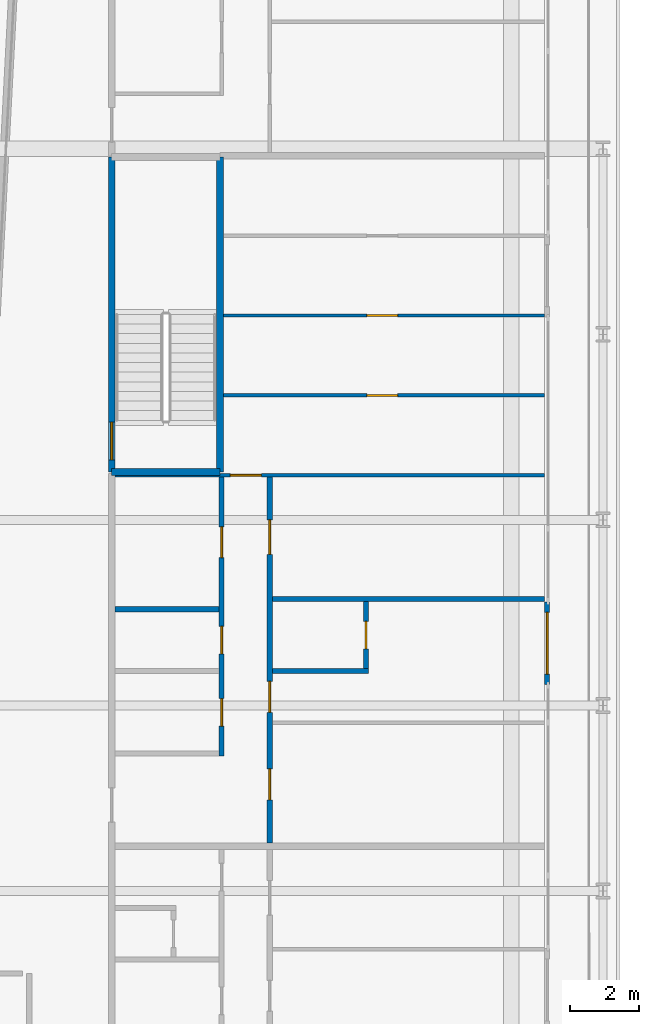
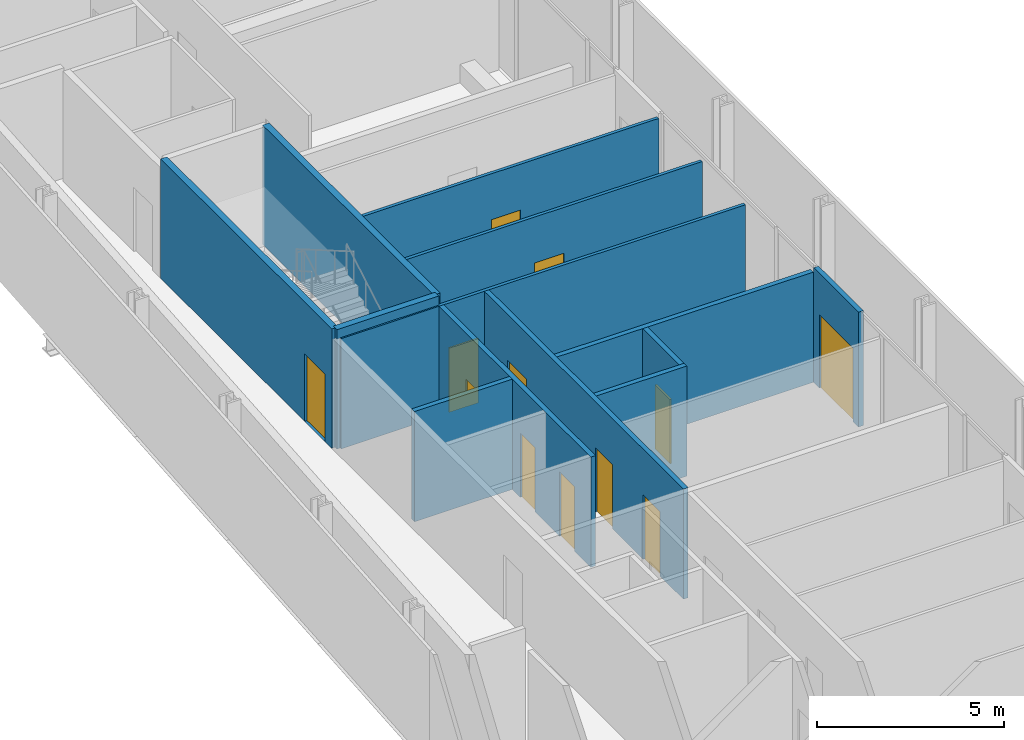
# One storey, part 19 of 29: 13 walls, 12 doors, 12 openings.
"""IFC4 building model written with IfcOpenShell, lengths in metres."""

from ifc_helpers import new_model, si_unit, direction, frame, frame_2d, origin, place, context, subcontext, project, spatial, rectangle, extrude, source, transform, mapped, material, layer, layer_set, type_object, element, fill, save


model = new_model("IFC4")

# Units and contexts
model_context = context("Model", 3, precision=1e-05, world=origin(), true_north=direction((0.0, 1.0)))
body_context = subcontext(model_context, "Body", "Model", "MODEL_VIEW")
ifc_project = project(units=[si_unit("LENGTHUNIT", "METRE"), si_unit("AREAUNIT", "SQUARE_METRE"), si_unit("VOLUMEUNIT", "CUBIC_METRE"), si_unit("PLANEANGLEUNIT", "RADIAN"), si_unit("MASSUNIT", "GRAM", prefix="KILO")], contexts=[model_context])

# Site, building, storey
site_placement = place(None, origin())
site = spatial("IfcSite", under=ifc_project, at=site_placement, CompositionType="ELEMENT")
building_placement = place(site_placement, origin())
building = spatial("IfcBuilding", under=site, at=building_placement, Name="Kheshtan School and Residences Tower", CompositionType="ELEMENT")
storey_placement = place(building_placement, frame((0.0, 0.0, 121.39990234375)))
storey = spatial("IfcBuildingStorey", under=building, at=storey_placement, Name="L28", CompositionType="ELEMENT", Elevation=121.39990234375)

# Wall, opening, door
ifc_material_1 = material(Name="Aluminium frame wall with insulated infill", Category="aluminium")
ifc_layer_1 = layer(ifc_material_1, 0.14990234375)
ifc_layer_set_1 = layer_set([ifc_layer_1], Name="Glazing frame wall 150")
wall_type_1 = type_object("IfcWallType", Name="Glazing frame wall 150", PredefinedType="SOLIDWALL", material=ifc_layer_set_1)
wall_1_placement = place(storey_placement, frame((45.97509765625, 75.612060546875, 0.0), z_axis=(0.0, 0.0, 1.0), x_axis=(0.0, -1.0, 0.0)))
wall_1 = element("IfcWall", 1, at=wall_1_placement, inside=storey, type_object=wall_type_1, Name="Balcony door wall L28 8.3", PredefinedType="SOLIDWALL", context=body_context, shape_type="SweptSolid", body=[
    extrude(rectangle(XDim=2.400146484375, YDim=0.14990234375, at=frame_2d((1.2001953125, 0.0))), origin(), (0.0, 0.0, 1.0), 3.75),
])
opening_1_placement = place(wall_1_placement, frame((0.300048828125, 0.0, 0.0)))
opening_1 = element("IfcOpeningElement", 2, at=opening_1_placement, cuts=wall_1, Name="Opening BD", PredefinedType="OPENING", context=body_context, shape_type="SweptSolid", body=[
    extrude(rectangle(XDim=1.800048828125, YDim=2.39990234375, at=frame_2d((0.89990234375, 1.199951171875))), frame((0.0, 0.0849609375, 0.0), z_axis=(0.0, -1.0, 0.0), x_axis=(1.0, 0.0, 0.0)), (0.0, 0.0, 1.0), 0.169921875),
])
ifc_material_2 = material(Name="Clear low-e glass in thermally broken aluminium frame", Category="aluminium")
door_type_1 = type_object("IfcDoorType", Name="Balcony sliding door", OperationType="SLIDING_TO_LEFT", PredefinedType="DOOR", material=ifc_material_2)
shared_shape_1 = source(origin(), body_context, "Body", "SweptSolid", [
    extrude(rectangle(XDim=1.800048828125, YDim=2.39990234375, at=frame_2d((0.89990234375, 1.199951171875))), frame((0.0, 0.02490234375, 0.0), z_axis=(0.0, -1.0, 0.0), x_axis=(1.0, 0.0, 0.0)), (0.0, 0.0, 1.0), 0.050048828125),
])
door_1_placement = place(opening_1_placement, origin())
door_1 = element("IfcDoor", 3, at=door_1_placement, inside=storey, type_object=door_type_1, Name="Balcony door L28 8.3", OperationType="SLIDING_TO_LEFT", OverallHeight=2.39990234375, OverallWidth=1.800048828125, PredefinedType="DOOR", context=body_context, shape_type="MappedRepresentation", body=[
    mapped(shared_shape_1, transform((0.0, 0.0, 0.0), x_axis=(1.0, 0.0, 0.0), y_axis=(0.0, 1.0, 0.0), z_axis=(0.0, 0.0, 1.0), scale=1.0)),
])
fill(opening_1, door_1)

ifc_material_3 = material(Name="Gypsum board on steel studs", Category="steel")
ifc_layer_2 = layer(ifc_material_3, 0.10009765625)
ifc_layer_set_2 = layer_set([ifc_layer_2], Name="Gypsum partition 100")
wall_type_2 = type_object("IfcWallType", Name="Gypsum partition 100", PredefinedType="PARTITIONING", material=ifc_layer_set_2)
wall_2_placement = place(storey_placement, frame((33.39990234375, 79.300048828125, 0.0), z_axis=(0.0, 0.0, 1.0), x_axis=(1.0, 0.0, 0.0)))
wall_2 = element("IfcWall", 4, at=wall_2_placement, inside=storey, type_object=wall_type_2, Name="Partition L28-016", PredefinedType="PARTITIONING", context=body_context, shape_type="SweptSolid", body=[
    extrude(rectangle(XDim=12.5, YDim=0.10009765625, at=frame_2d((6.25, 0.0))), origin(), (0.0, 0.0, 1.0), 3.60009765625),
])
opening_2_placement = place(wall_2_placement, frame((3.35498046875, 0.0, 0.0)))
opening_2 = element("IfcOpeningElement", 5, at=opening_2_placement, cuts=wall_2, Name="Opening D27-056", PredefinedType="OPENING", context=body_context, shape_type="SweptSolid", body=[
    extrude(rectangle(XDim=0.89990234375, YDim=2.10009765625, at=frame_2d((0.449951171875, 1.050048828125))), frame((0.0, 0.06005859375, 0.0), z_axis=(0.0, -1.0, 0.0), x_axis=(1.0, 0.0, 0.0)), (0.0, 0.0, 1.0), 0.1201171875),
])
ifc_material_4 = material(Name="Veneered timber door leaf", Category="wood")
door_type_2 = type_object("IfcDoorType", Name="Door 900 x 2100", OperationType="SINGLE_SWING_LEFT", PredefinedType="DOOR", material=ifc_material_4)
shared_shape_2 = source(origin(), body_context, "Body", "SweptSolid", [
    extrude(rectangle(XDim=0.89990234375, YDim=2.10009765625, at=frame_2d((0.449951171875, 1.050048828125))), frame((0.0, 0.02490234375, 0.0), z_axis=(0.0, -1.0, 0.0), x_axis=(1.0, 0.0, 0.0)), (0.0, 0.0, 1.0), 0.050048828125),
])
door_2_placement = place(opening_2_placement, origin())
door_2 = element("IfcDoor", 6, at=door_2_placement, inside=storey, type_object=door_type_2, Name="Door D27-056", OperationType="SINGLE_SWING_LEFT", OverallHeight=2.10009765625, OverallWidth=0.89990234375, PredefinedType="DOOR", context=body_context, shape_type="MappedRepresentation", body=[
    mapped(shared_shape_2, transform((0.0, 0.0, 0.0), x_axis=(1.0, 0.0, 0.0), y_axis=(0.0, 1.0, 0.0), z_axis=(0.0, 0.0, 1.0), scale=1.0)),
])
fill(opening_2, door_2)

wall_3_placement = place(storey_placement, frame((36.549072265625, 81.625, 0.0), z_axis=(0.0, 0.0, 1.0), x_axis=(1.0, 0.0, 0.0)))
wall_3 = element("IfcWall", 7, at=wall_3_placement, inside=storey, type_object=wall_type_2, Name="Partition L28-028", PredefinedType="PARTITIONING", context=body_context, shape_type="SweptSolid", body=[
    extrude(rectangle(XDim=9.350830078125, YDim=0.10009765625, at=frame_2d((4.67529296875, 0.0))), origin(), (0.0, 0.0, 1.0), 3.60009765625),
])
opening_3_placement = place(wall_3_placement, frame((4.176025390625, 0.0, 0.0)))
opening_3 = element("IfcOpeningElement", 8, at=opening_3_placement, cuts=wall_3, Name="Opening D27-057", PredefinedType="OPENING", context=body_context, shape_type="SweptSolid", body=[
    extrude(rectangle(XDim=0.89990234375, YDim=2.10009765625, at=frame_2d((0.449951171875, 1.050048828125))), frame((0.0, 0.06005859375, 0.0), z_axis=(0.0, -1.0, 0.0), x_axis=(1.0, 0.0, 0.0)), (0.0, 0.0, 1.0), 0.1201171875),
])
door_3_placement = place(opening_3_placement, origin())
door_3 = element("IfcDoor", 9, at=door_3_placement, inside=storey, type_object=door_type_2, Name="Door D27-057", OperationType="SINGLE_SWING_RIGHT", OverallHeight=2.10009765625, OverallWidth=0.89990234375, PredefinedType="DOOR", context=body_context, shape_type="MappedRepresentation", body=[
    mapped(shared_shape_2, transform((0.0, 0.0, 0.0), x_axis=(1.0, 0.0, 0.0), y_axis=(0.0, 1.0, 0.0), z_axis=(0.0, 0.0, 1.0), scale=1.0)),
])
fill(opening_3, door_3)

wall_4_placement = place(storey_placement, frame((36.549072265625, 83.949951171875, 0.0), z_axis=(0.0, 0.0, 1.0), x_axis=(1.0, 0.0, 0.0)))
wall_4 = element("IfcWall", 10, at=wall_4_placement, inside=storey, type_object=wall_type_2, Name="Partition L28-029", PredefinedType="PARTITIONING", context=body_context, shape_type="SweptSolid", body=[
    extrude(rectangle(XDim=9.350830078125, YDim=0.10009765625, at=frame_2d((4.67529296875, 0.0))), origin(), (0.0, 0.0, 1.0), 3.60009765625),
])
opening_4_placement = place(wall_4_placement, frame((4.176025390625, 0.0, 0.0)))
opening_4 = element("IfcOpeningElement", 11, at=opening_4_placement, cuts=wall_4, Name="Opening D27-058", PredefinedType="OPENING", context=body_context, shape_type="SweptSolid", body=[
    extrude(rectangle(XDim=0.89990234375, YDim=2.10009765625, at=frame_2d((0.449951171875, 1.050048828125))), frame((0.0, 0.06005859375, 0.0), z_axis=(0.0, -1.0, 0.0), x_axis=(1.0, 0.0, 0.0)), (0.0, 0.0, 1.0), 0.1201171875),
])
door_4_placement = place(opening_4_placement, origin())
door_4 = element("IfcDoor", 12, at=door_4_placement, inside=storey, type_object=door_type_2, Name="Door D27-058", OperationType="SINGLE_SWING_RIGHT", OverallHeight=2.10009765625, OverallWidth=0.89990234375, PredefinedType="DOOR", context=body_context, shape_type="MappedRepresentation", body=[
    mapped(shared_shape_2, transform((0.0, 0.0, 0.0), x_axis=(1.0, 0.0, 0.0), y_axis=(0.0, 1.0, 0.0), z_axis=(0.0, 0.0, 1.0), scale=1.0)),
])
fill(opening_4, door_4)

# Wall
ifc_material_5 = material(Name="Concrete C40/50", Category="concrete")
ifc_layer_3 = layer(ifc_material_5, 0.199951171875)
ifc_layer_set_3 = layer_set([ifc_layer_3], Name="Stair enclosure wall 200 Concrete C40/50")
wall_type_3 = type_object("IfcWallType", Name="Stair enclosure wall 200 Concrete C40/50", PredefinedType="SHEAR", material=ifc_layer_set_3)
wall_5_placement = place(storey_placement, frame((33.300048828125, 79.39990234375, 0.0), z_axis=(0.0, 0.0, 1.0), x_axis=(1.0, 0.0, 0.0)))
element("IfcWall", 13, at=wall_5_placement, inside=storey, type_object=wall_type_3, Name="Stair enclosure wall ST3", PredefinedType="SHEAR", context=body_context, shape_type="SweptSolid", body=[
    extrude(rectangle(XDim=3.14990234375, YDim=0.199951171875, at=frame_2d((1.574951171875, 0.0))), origin(), (0.0, 0.0, 1.0), 3.900146484375),
])

# Wall, opening, door
wall_6_placement = place(storey_placement, frame((33.300048828125, 79.39990234375, 0.0), z_axis=(0.0, 0.0, 1.0), x_axis=(0.0, 1.0, 0.0)))
wall_6 = element("IfcWall", 14, at=wall_6_placement, inside=storey, type_object=wall_type_3, Name="Stair enclosure wall ST3", PredefinedType="SHEAR", context=body_context, shape_type="SweptSolid", body=[
    extrude(rectangle(XDim=9.16015625, YDim=0.199951171875, at=frame_2d((4.580078125, 0.0))), origin(), (0.0, 0.0, 1.0), 3.900146484375),
])
opening_5_placement = place(wall_6_placement, frame((0.35009765625, 0.0, 0.0)))
opening_5 = element("IfcOpeningElement", 15, at=opening_5_placement, cuts=wall_6, Name="Opening ST3D", PredefinedType="OPENING", context=body_context, shape_type="SweptSolid", body=[
    extrude(rectangle(XDim=1.10009765625, YDim=2.199951171875, at=frame_2d((0.550048828125, 1.10009765625))), frame((0.0, 0.10986328125, 0.0), z_axis=(0.0, -1.0, 0.0), x_axis=(1.0, 0.0, 0.0)), (0.0, 0.0, 1.0), 0.219970703125),
])
ifc_material_6 = material(Name="Steel door leaf, galvanised", Category="steel")
door_type_3 = type_object("IfcDoorType", Name="Stair door 1100 steel 90 min", OperationType="SINGLE_SWING_LEFT", PredefinedType="DOOR", material=ifc_material_6)
shared_shape_3 = source(origin(), body_context, "Body", "SweptSolid", [
    extrude(rectangle(XDim=1.10009765625, YDim=2.199951171875, at=frame_2d((0.550048828125, 1.10009765625))), frame((0.0, 0.02490234375, 0.0), z_axis=(0.0, -1.0, 0.0), x_axis=(1.0, 0.0, 0.0)), (0.0, 0.0, 1.0), 0.050048828125),
])
door_5_placement = place(opening_5_placement, origin())
door_5 = element("IfcDoor", 16, at=door_5_placement, inside=storey, type_object=door_type_3, Name="Stair ST3 door", OperationType="SINGLE_SWING_RIGHT", OverallHeight=2.199951171875, OverallWidth=1.10009765625, PredefinedType="DOOR", context=body_context, shape_type="MappedRepresentation", body=[
    mapped(shared_shape_3, transform((0.0, 0.0, 0.0), x_axis=(1.0, 0.0, 0.0), y_axis=(0.0, 1.0, 0.0), z_axis=(0.0, 0.0, 1.0), scale=1.0)),
])
fill(opening_5, door_5)

# Walls
wall_7_placement = place(storey_placement, frame((36.449951171875, 79.39990234375, 0.0), z_axis=(0.0, 0.0, 1.0), x_axis=(0.0, 1.0, 0.0)))
element("IfcWall", 17, at=wall_7_placement, inside=storey, type_object=wall_type_3, Name="Stair enclosure wall ST3", PredefinedType="SHEAR", context=body_context, shape_type="SweptSolid", body=[
    extrude(rectangle(XDim=9.16015625, YDim=0.199951171875, at=frame_2d((4.580078125, 0.0))), origin(), (0.0, 0.0, 1.0), 3.900146484375),
])
ifc_material_7 = material(Name="Moisture-resistant gypsum board on steel studs", Category="steel")
ifc_layer_4 = layer(ifc_material_7, 0.14990234375)
ifc_layer_set_4 = layer_set([ifc_layer_4], Name="Wet-room partition 150")
wall_type_4 = type_object("IfcWallType", Name="Wet-room partition 150", PredefinedType="PARTITIONING", material=ifc_layer_set_4)
wall_8_placement = place(storey_placement, frame((33.39990234375, 75.39990234375, 0.0), z_axis=(0.0, 0.0, 1.0), x_axis=(1.0, 0.0, 0.0)))
element("IfcWall", 18, at=wall_8_placement, inside=storey, type_object=wall_type_4, Name="Partition L28-015", PredefinedType="PARTITIONING", context=body_context, shape_type="SweptSolid", body=[
    extrude(rectangle(XDim=3.025146484375, YDim=0.14990234375, at=frame_2d((1.5126953125, 0.0))), origin(), (0.0, 0.0, 1.0), 3.60009765625),
])

# Wall, openings, doors
wall_9_placement = place(storey_placement, frame((36.5, 71.125, 0.0), z_axis=(0.0, 0.0, 1.0), x_axis=(0.0, 1.0, 0.0)))
wall_9 = element("IfcWall", 19, at=wall_9_placement, inside=storey, type_object=wall_type_4, Name="Partition L28-024", PredefinedType="PARTITIONING", context=body_context, shape_type="SweptSolid", body=[
    extrude(rectangle(XDim=8.125, YDim=0.14990234375, at=frame_2d((4.0625, 0.0))), origin(), (0.0, 0.0, 1.0), 3.60009765625),
])
opening_6_placement = place(wall_9_placement, frame((0.875, 0.0, 0.0)))
opening_6 = element("IfcOpeningElement", 20, at=opening_6_placement, cuts=wall_9, Name="Opening D27-048", PredefinedType="OPENING", context=body_context, shape_type="SweptSolid", body=[
    extrude(rectangle(XDim=0.800048828125, YDim=2.10009765625, at=frame_2d((0.39990234375, 1.050048828125))), frame((0.0, 0.0849609375, 0.0), z_axis=(0.0, -1.0, 0.0), x_axis=(1.0, 0.0, 0.0)), (0.0, 0.0, 1.0), 0.169921875),
])
opening_7_placement = place(wall_9_placement, frame((5.77490234375, 0.0, 0.0)))
opening_7 = element("IfcOpeningElement", 21, at=opening_7_placement, cuts=wall_9, Name="Opening D27-052", PredefinedType="OPENING", context=body_context, shape_type="SweptSolid", body=[
    extrude(rectangle(XDim=0.89990234375, YDim=2.10009765625, at=frame_2d((0.449951171875, 1.050048828125))), frame((0.0, 0.0849609375, 0.0), z_axis=(0.0, -1.0, 0.0), x_axis=(1.0, 0.0, 0.0)), (0.0, 0.0, 1.0), 0.169921875),
])
opening_8_placement = place(wall_9_placement, frame((2.97509765625, 0.0, 0.0)))
opening_8 = element("IfcOpeningElement", 22, at=opening_8_placement, cuts=wall_9, Name="Opening D27-055", PredefinedType="OPENING", context=body_context, shape_type="SweptSolid", body=[
    extrude(rectangle(XDim=0.800048828125, YDim=2.10009765625, at=frame_2d((0.39990234375, 1.050048828125))), frame((0.0, 0.0849609375, 0.0), z_axis=(0.0, -1.0, 0.0), x_axis=(1.0, 0.0, 0.0)), (0.0, 0.0, 1.0), 0.169921875),
])
door_type_4 = type_object("IfcDoorType", Name="Door 800 x 2100", OperationType="SINGLE_SWING_LEFT", PredefinedType="DOOR", material=ifc_material_4)
shared_shape_4 = source(origin(), body_context, "Body", "SweptSolid", [
    extrude(rectangle(XDim=0.800048828125, YDim=2.10009765625, at=frame_2d((0.39990234375, 1.050048828125))), frame((0.0, 0.02490234375, 0.0), z_axis=(0.0, -1.0, 0.0), x_axis=(1.0, 0.0, 0.0)), (0.0, 0.0, 1.0), 0.050048828125),
])
door_6_placement = place(opening_6_placement, origin())
door_6 = element("IfcDoor", 23, at=door_6_placement, inside=storey, type_object=door_type_4, Name="Door D27-048", OperationType="SINGLE_SWING_LEFT", OverallHeight=2.10009765625, OverallWidth=0.800048828125, PredefinedType="DOOR", context=body_context, shape_type="MappedRepresentation", body=[
    mapped(shared_shape_4, transform((0.0, 0.0, 0.0), x_axis=(1.0, 0.0, 0.0), y_axis=(0.0, 1.0, 0.0), z_axis=(0.0, 0.0, 1.0), scale=1.0)),
])
fill(opening_6, door_6)
door_7_placement = place(opening_8_placement, origin())
door_7 = element("IfcDoor", 24, at=door_7_placement, inside=storey, type_object=door_type_4, Name="Door D27-055", OperationType="SINGLE_SWING_RIGHT", OverallHeight=2.10009765625, OverallWidth=0.800048828125, PredefinedType="DOOR", context=body_context, shape_type="MappedRepresentation", body=[
    mapped(shared_shape_4, transform((0.0, 0.0, 0.0), x_axis=(1.0, 0.0, 0.0), y_axis=(0.0, 1.0, 0.0), z_axis=(0.0, 0.0, 1.0), scale=1.0)),
])
fill(opening_8, door_7)
door_8_placement = place(opening_7_placement, origin())
door_8 = element("IfcDoor", 25, at=door_8_placement, inside=storey, type_object=door_type_2, Name="Door D27-052", OperationType="SINGLE_SWING_RIGHT", OverallHeight=2.10009765625, OverallWidth=0.89990234375, PredefinedType="DOOR", context=body_context, shape_type="MappedRepresentation", body=[
    mapped(shared_shape_2, transform((0.0, 0.0, 0.0), x_axis=(1.0, 0.0, 0.0), y_axis=(0.0, 1.0, 0.0), z_axis=(0.0, 0.0, 1.0), scale=1.0)),
])
fill(opening_7, door_8)

wall_10_placement = place(storey_placement, frame((37.89990234375, 68.60009765625, 0.0), z_axis=(0.0, 0.0, 1.0), x_axis=(0.0, 1.0, 0.0)))
wall_10 = element("IfcWall", 26, at=wall_10_placement, inside=storey, type_object=wall_type_4, Name="Partition L28-033", PredefinedType="PARTITIONING", context=body_context, shape_type="SweptSolid", body=[
    extrude(rectangle(XDim=10.64990234375, YDim=0.14990234375, at=frame_2d((5.324951171875, 0.0))), origin(), (0.0, 0.0, 1.0), 3.60009765625),
])
opening_9_placement = place(wall_10_placement, frame((1.25, 0.0, 0.0)))
opening_9 = element("IfcOpeningElement", 27, at=opening_9_placement, cuts=wall_10, Name="Opening D27-049", PredefinedType="OPENING", context=body_context, shape_type="SweptSolid", body=[
    extrude(rectangle(XDim=0.89990234375, YDim=2.10009765625, at=frame_2d((0.449951171875, 1.050048828125))), frame((0.0, 0.0849609375, 0.0), z_axis=(0.0, -1.0, 0.0), x_axis=(1.0, 0.0, 0.0)), (0.0, 0.0, 1.0), 0.169921875),
])
opening_10_placement = place(wall_10_placement, frame((8.39990234375, 0.0, 0.0)))
opening_10 = element("IfcOpeningElement", 28, at=opening_10_placement, cuts=wall_10, Name="Opening D27-053", PredefinedType="OPENING", context=body_context, shape_type="SweptSolid", body=[
    extrude(rectangle(XDim=1.0, YDim=2.10009765625, at=frame_2d((0.5, 1.050048828125))), frame((0.0, 0.0849609375, 0.0), z_axis=(0.0, -1.0, 0.0), x_axis=(1.0, 0.0, 0.0)), (0.0, 0.0, 1.0), 0.169921875),
])
opening_11_placement = place(wall_10_placement, frame((3.800048828125, 0.0, 0.0)))
opening_11 = element("IfcOpeningElement", 29, at=opening_11_placement, cuts=wall_10, Name="Opening D27-054", PredefinedType="OPENING", context=body_context, shape_type="SweptSolid", body=[
    extrude(rectangle(XDim=0.89990234375, YDim=2.10009765625, at=frame_2d((0.449951171875, 1.050048828125))), frame((0.0, 0.0849609375, 0.0), z_axis=(0.0, -1.0, 0.0), x_axis=(1.0, 0.0, 0.0)), (0.0, 0.0, 1.0), 0.169921875),
])
door_type_5 = type_object("IfcDoorType", Name="Door 1000 x 2100", OperationType="SINGLE_SWING_LEFT", PredefinedType="DOOR", material=ifc_material_4)
shared_shape_5 = source(origin(), body_context, "Body", "SweptSolid", [
    extrude(rectangle(XDim=1.0, YDim=2.10009765625, at=frame_2d((0.5, 1.050048828125))), frame((0.0, 0.02490234375, 0.0), z_axis=(0.0, -1.0, 0.0), x_axis=(1.0, 0.0, 0.0)), (0.0, 0.0, 1.0), 0.050048828125),
])
door_9_placement = place(opening_10_placement, origin())
door_9 = element("IfcDoor", 30, at=door_9_placement, inside=storey, type_object=door_type_5, Name="Door D27-053", OperationType="SINGLE_SWING_RIGHT", OverallHeight=2.10009765625, OverallWidth=1.0, PredefinedType="DOOR", context=body_context, shape_type="MappedRepresentation", body=[
    mapped(shared_shape_5, transform((0.0, 0.0, 0.0), x_axis=(1.0, 0.0, 0.0), y_axis=(0.0, 1.0, 0.0), z_axis=(0.0, 0.0, 1.0), scale=1.0)),
])
fill(opening_10, door_9)
door_10_placement = place(opening_9_placement, origin())
door_10 = element("IfcDoor", 31, at=door_10_placement, inside=storey, type_object=door_type_2, Name="Door D27-049", OperationType="SINGLE_SWING_LEFT", OverallHeight=2.10009765625, OverallWidth=0.89990234375, PredefinedType="DOOR", context=body_context, shape_type="MappedRepresentation", body=[
    mapped(shared_shape_2, transform((0.0, 0.0, 0.0), x_axis=(1.0, 0.0, 0.0), y_axis=(0.0, 1.0, 0.0), z_axis=(0.0, 0.0, 1.0), scale=1.0)),
])
fill(opening_9, door_10)
door_11_placement = place(opening_11_placement, origin())
door_11 = element("IfcDoor", 32, at=door_11_placement, inside=storey, type_object=door_type_2, Name="Door D27-054", OperationType="SINGLE_SWING_LEFT", OverallHeight=2.10009765625, OverallWidth=0.89990234375, PredefinedType="DOOR", context=body_context, shape_type="MappedRepresentation", body=[
    mapped(shared_shape_2, transform((0.0, 0.0, 0.0), x_axis=(1.0, 0.0, 0.0), y_axis=(0.0, 1.0, 0.0), z_axis=(0.0, 0.0, 1.0), scale=1.0)),
])
fill(opening_11, door_11)

# Walls
wall_11_placement = place(storey_placement, frame((37.97509765625, 73.60009765625, 0.0), z_axis=(0.0, 0.0, 1.0), x_axis=(1.0, 0.0, 0.0)))
element("IfcWall", 33, at=wall_11_placement, inside=storey, type_object=wall_type_4, Name="Partition L28-042", PredefinedType="PARTITIONING", context=body_context, shape_type="SweptSolid", body=[
    extrude(rectangle(XDim=2.7998046875, YDim=0.14990234375, at=frame_2d((1.39990234375, 0.0))), origin(), (0.0, 0.0, 1.0), 3.60009765625),
])
wall_12_placement = place(storey_placement, frame((37.97509765625, 75.699951171875, 0.0), z_axis=(0.0, 0.0, 1.0), x_axis=(1.0, 0.0, 0.0)))
element("IfcWall", 34, at=wall_12_placement, inside=storey, type_object=wall_type_4, Name="Partition L28-043", PredefinedType="PARTITIONING", context=body_context, shape_type="SweptSolid", body=[
    extrude(rectangle(XDim=7.9248046875, YDim=0.14990234375, at=frame_2d((3.96240234375, 0.0))), origin(), (0.0, 0.0, 1.0), 3.60009765625),
])

# Wall, opening, door
wall_13_placement = place(storey_placement, frame((40.699951171875, 73.675048828125, 0.0), z_axis=(0.0, 0.0, 1.0), x_axis=(0.0, 1.0, 0.0)))
wall_13 = element("IfcWall", 35, at=wall_13_placement, inside=storey, type_object=wall_type_4, Name="Partition L28-047", PredefinedType="PARTITIONING", context=body_context, shape_type="SweptSolid", body=[
    extrude(rectangle(XDim=1.949951171875, YDim=0.14990234375, at=frame_2d((0.97509765625, 0.0))), origin(), (0.0, 0.0, 1.0), 3.60009765625),
])
opening_12_placement = place(wall_13_placement, frame((0.574951171875, 0.0, 0.0)))
opening_12 = element("IfcOpeningElement", 36, at=opening_12_placement, cuts=wall_13, Name="Opening D27-050", PredefinedType="OPENING", context=body_context, shape_type="SweptSolid", body=[
    extrude(rectangle(XDim=0.800048828125, YDim=2.10009765625, at=frame_2d((0.39990234375, 1.050048828125))), frame((0.0, 0.0849609375, 0.0), z_axis=(0.0, -1.0, 0.0), x_axis=(1.0, 0.0, 0.0)), (0.0, 0.0, 1.0), 0.169921875),
])
door_12_placement = place(opening_12_placement, origin())
door_12 = element("IfcDoor", 37, at=door_12_placement, inside=storey, type_object=door_type_4, Name="Door D27-050", OperationType="SINGLE_SWING_RIGHT", OverallHeight=2.10009765625, OverallWidth=0.800048828125, PredefinedType="DOOR", context=body_context, shape_type="MappedRepresentation", body=[
    mapped(shared_shape_4, transform((0.0, 0.0, 0.0), x_axis=(1.0, 0.0, 0.0), y_axis=(0.0, 1.0, 0.0), z_axis=(0.0, 0.0, 1.0), scale=1.0)),
])
fill(opening_12, door_12)

save(model, "model.ifc")
